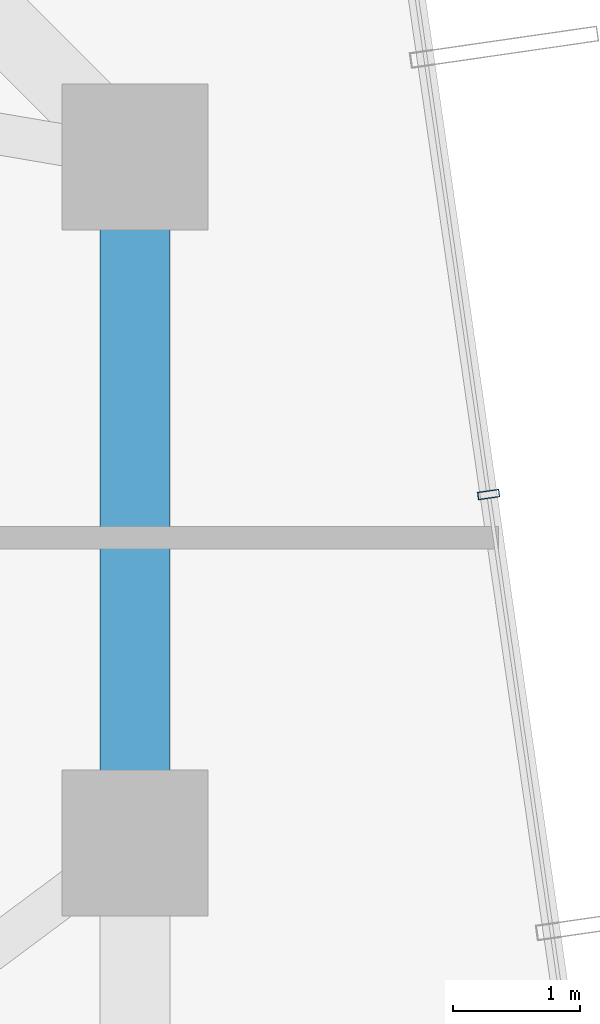
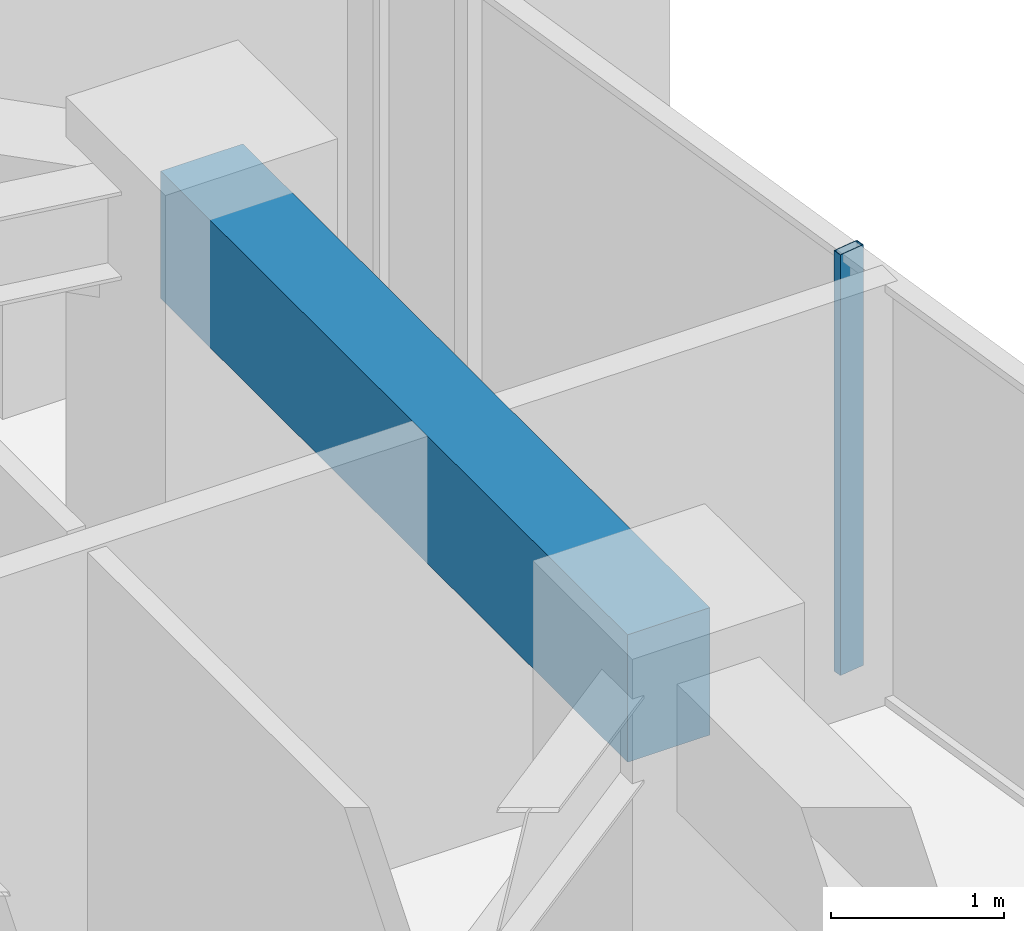
# One storey, part 17 of 34: 1 beam, 1 member, 1 element without a shape of its own.
"""IFC4 building model written with IfcOpenShell, lengths in metres."""

from ifc_helpers import new_model, si_unit, direction, frame, origin, origin_2d, place, context, subcontext, project, spatial, rectangle, hollow_rectangle, extrude, source, transform, mapped, material, layer, layer_set, material_profile, profile_set, type_object, element, aggregate, save


model = new_model("IFC4")

# Units and contexts
model_context = context("Model", 3, precision=1e-05, world=origin(), true_north=direction((0.0, 1.0)))
body_context = subcontext(model_context, "Body", "Model", "MODEL_VIEW")
ifc_project = project(units=[si_unit("LENGTHUNIT", "METRE"), si_unit("AREAUNIT", "SQUARE_METRE"), si_unit("VOLUMEUNIT", "CUBIC_METRE"), si_unit("PLANEANGLEUNIT", "RADIAN"), si_unit("MASSUNIT", "GRAM", prefix="KILO")], contexts=[model_context])

# Site, building, storey
site_placement = place(None, origin())
site = spatial("IfcSite", under=ifc_project, at=site_placement, CompositionType="ELEMENT")
building_placement = place(site_placement, origin())
building = spatial("IfcBuilding", under=site, at=building_placement, Name="Veraguas Prism Commons", CompositionType="ELEMENT")
storey_placement = place(building_placement, frame((0.0, 0.0, 155.5)))
storey = spatial("IfcBuildingStorey", under=building, at=storey_placement, Name="L44", CompositionType="ELEMENT", Elevation=155.5)

# Beam
ifc_material_1 = material(Name="Concrete C50/60", Category="concrete")
ifc_material_profile_1 = material_profile(ifc_material_1, rectangle(XDim=0.550048828125, YDim=0.89990234375, at=origin_2d()), Name="RC550X900")
ifc_profile_set_1 = profile_set([ifc_material_profile_1], Name="Concrete C50/60")
beam_type = type_object("IfcBeamType", Name="Perimeter Spandrel Lower RC 550x900", PredefinedType="SPANDREL", material=ifc_profile_set_1)
beam_placement = place(storey_placement, frame((40.199951171875, 24.0, 2.52001953125), z_axis=(0.0, 1.0, 0.0), x_axis=(-1.0, 0.0, 0.0)))
element("IfcBeam", 1, at=beam_placement, inside=storey, type_object=beam_type, Name="Perimeter Spandrel Beam L44-SP02", PredefinedType="SPANDREL", context=body_context, shape_type="SweptSolid", body=[
    extrude(rectangle(XDim=0.550048828125, YDim=0.89990234375, at=origin_2d()), origin(), (0.0, 0.0, 1.0), 5.39990234375),
])

# Curtain wall, member
ifc_material_2 = material(Name="Anodised aluminium EN AW-6063 T6", Category="aluminium")
ifc_layer = layer(ifc_material_2, 0.169921875, Name="Unitised Flush Curtain Wall Zone 2", Category="aluminium")
ifc_layer_set = layer_set([ifc_layer], Name="Anodised aluminium EN AW-6063 T6")
curtain_wall_type = type_object("IfcCurtainWallType", Name="Unitised Flush Curtain Wall Zone 2", PredefinedType="NOTDEFINED", material=ifc_layer_set)
curtain_wall_placement = place(storey_placement, origin())
curtain_wall = element("IfcCurtainWall", 2, at=curtain_wall_placement, inside=storey, type_object=curtain_wall_type, Name="Tower Facade Curtain Wall L44-F6", PredefinedType="NOTDEFINED")
ifc_material_profile_2 = material_profile(ifc_material_2, hollow_rectangle(XDim=0.06005859375, YDim=0.169921875, WallThickness=0.00390625, at=origin_2d()), Name="AL60X170X4")
ifc_profile_set_2 = profile_set([ifc_material_profile_2], Name="Anodised aluminium EN AW-6063 T6")
member_type = type_object("IfcMemberType", Name="Curtain Wall Mullion Lower AL 60x170x4", PredefinedType="MULLION", material=ifc_profile_set_2)
shared_shape = source(origin(), body_context, "Body", "SweptSolid", [
    extrude(hollow_rectangle(XDim=0.06005859375, YDim=0.169921875, WallThickness=0.00390625, at=origin_2d()), origin(), (0.0, 0.0, 1.0), 2.969970703125),
])
member_placement = place(storey_placement, frame((42.9853515625, 26.74267578125, 0.0), z_axis=(0.0, 0.0, 1.0), x_axis=(-0.142970967293, 0.989726882787, 0.0)))
member = element("IfcMember", 3, at=member_placement, type_object=member_type, Name="CW-Z2 Mullion 3", PredefinedType="MULLION", context=body_context, shape_type="MappedRepresentation", body=[
    mapped(shared_shape, transform((0.0, 0.0, 0.0), scale=1.0)),
])
aggregate(curtain_wall, [member])

save(model, "model.ifc")
